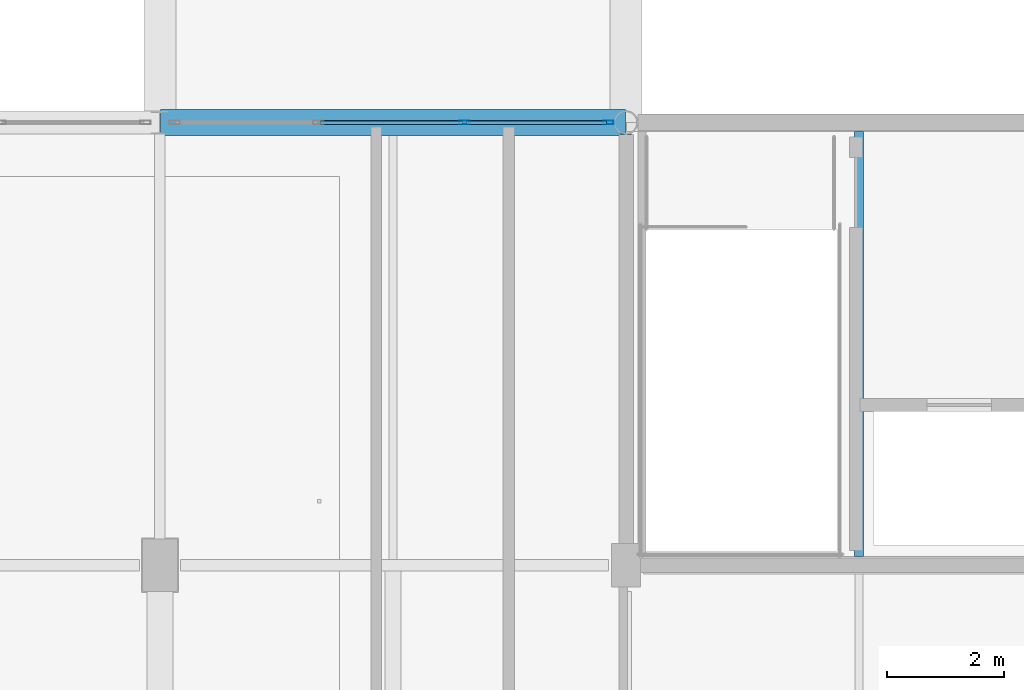
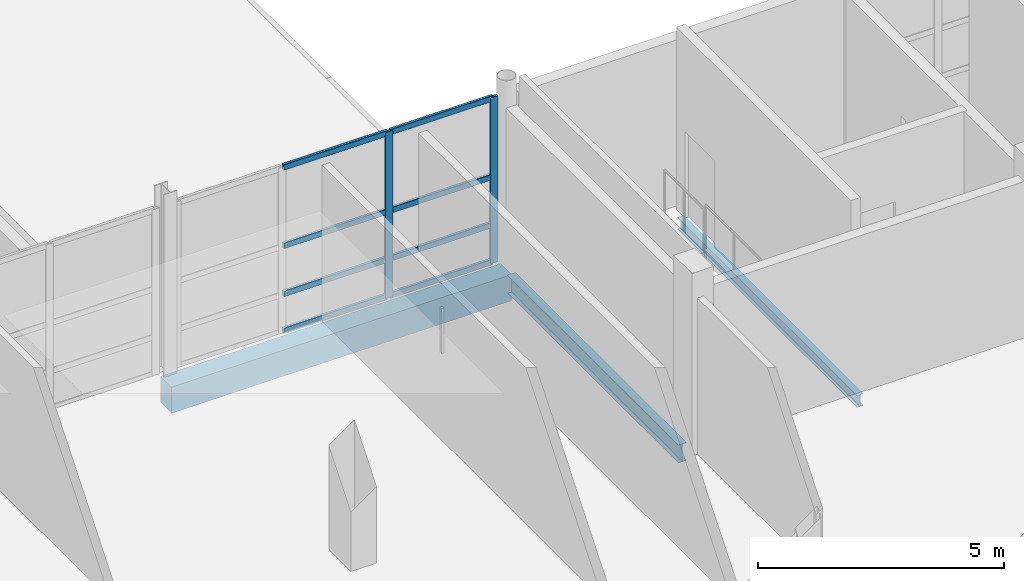
# One storey, part 44 of 107: 10 members, 3 beams, 1 element without a shape of its own.
"""IFC4 building model written with IfcOpenShell, lengths in metres."""

from ifc_helpers import new_model, si_unit, direction, frame, origin, origin_2d, place, context, subcontext, project, spatial, rectangle, hollow_rectangle, i_section, extrude, material, material_profile, profile_set, type_object, element, aggregate, save


model = new_model("IFC4")

# Units and contexts
model_context = context("Model", 3, precision=1e-05, world=origin(), true_north=direction((0.0, 1.0)))
body_context = subcontext(model_context, "Body", "Model", "MODEL_VIEW")
ifc_project = project(units=[si_unit("LENGTHUNIT", "METRE"), si_unit("AREAUNIT", "SQUARE_METRE"), si_unit("VOLUMEUNIT", "CUBIC_METRE"), si_unit("PLANEANGLEUNIT", "RADIAN"), si_unit("MASSUNIT", "GRAM", prefix="KILO")], contexts=[model_context])

# Site, building, storey
site_placement = place(None, origin())
site = spatial("IfcSite", under=ifc_project, at=site_placement, CompositionType="ELEMENT")
building_placement = place(site_placement, origin())
building = spatial("IfcBuilding", under=site, at=building_placement, Name="Khelvaren Railside Concert Hall", CompositionType="ELEMENT")
storey_placement = place(building_placement, frame((0.0, 0.0, 15.0)))
storey = spatial("IfcBuildingStorey", under=building, at=storey_placement, Name="L03", CompositionType="ELEMENT", Elevation=15.0)

# Beam
ifc_material_1 = material(Name="Steel S355", Category="steel")
ifc_material_profile_1 = material_profile(ifc_material_1, i_section(OverallWidth=0.18994140625, OverallDepth=0.449951171875, WebThickness=0.009521484375, FlangeThickness=0.0146484375, FilletRadius=0.02099609375, at=origin_2d()), Name="IPE 450")
ifc_profile_set_1 = profile_set([ifc_material_profile_1], Name="Steel S355")
beam_type_1 = type_object("IfcBeamType", Name="BM95", PredefinedType="BEAM", material=ifc_profile_set_1)
beam_1_placement = place(storey_placement, frame((168.0, 30.85009765625, -0.5048828125), z_axis=(0.0, 1.0, 0.0), x_axis=(-1.0, 0.0, 0.0)))
element("IfcBeam", 1, at=beam_1_placement, inside=storey, type_object=beam_type_1, Name="V2 L03 Beam Y4.5", PredefinedType="BEAM", context=body_context, shape_type="SweptSolid", body=[
    extrude(i_section(OverallWidth=0.18994140625, OverallDepth=0.449951171875, WebThickness=0.009521484375, FlangeThickness=0.0146484375, FilletRadius=0.02099609375, at=origin_2d()), origin(), (0.0, 0.0, 1.0), 6.954833984375),
])

# Curtain wall, members
ifc_material_2 = material(Name="Double-glazed low-E dark acoustic glass", Category="glass")
curtain_wall_type = type_object("IfcCurtainWallType", Name="CW32", PredefinedType="USERDEFINED", material=ifc_material_2)
curtain_wall_placement = place(storey_placement, origin())
curtain_wall = element("IfcCurtainWall", 2, at=curtain_wall_placement, inside=storey, type_object=curtain_wall_type, Name="Unitised Curtain Wall CW-V2-L03-N-160", ObjectType="UNITISED CURTAIN WALL", PredefinedType="USERDEFINED")
ifc_material_3 = material(Name="Anodised architectural aluminium 6063-T6", Category="aluminium")
ifc_material_profile_2 = material_profile(ifc_material_3, hollow_rectangle(XDim=0.06494140625, YDim=0.179931640625, WallThickness=0.00390625, InnerFilletRadius=0.001953125, OuterFilletRadius=0.00390625, at=origin_2d()), Name="CWM 65x180x4")
ifc_profile_set_2 = profile_set([ifc_material_profile_2], Name="Anodised architectural aluminium 6063-T6")
member_type_1 = type_object("IfcMemberType", Name="CWM63", PredefinedType="MULLION", material=ifc_profile_set_2)
member_1_placement = place(storey_placement, frame((165.225341796875, 38.0, 0.0), z_axis=(0.0, 0.0, 1.0), x_axis=(0.0, 1.0, 0.0)))
member_1 = element("IfcMember", 3, at=member_1_placement, type_object=member_type_1, Name="CW32 mullion 3", PredefinedType="MULLION", context=body_context, shape_type="SweptSolid", body=[
    extrude(hollow_rectangle(XDim=0.06494140625, YDim=0.179931640625, WallThickness=0.00390625, InnerFilletRadius=0.001953125, OuterFilletRadius=0.00390625, at=origin_2d()), origin(), (0.0, 0.0, 1.0), 4.1201171875),
])
member_2_placement = place(storey_placement, frame((167.69677734375, 38.0, 0.0), z_axis=(0.0, 0.0, 1.0), x_axis=(0.0, 1.0, 0.0)))
member_2 = element("IfcMember", 4, at=member_2_placement, type_object=member_type_1, Name="CW32 mullion 4", PredefinedType="MULLION", context=body_context, shape_type="SweptSolid", body=[
    extrude(hollow_rectangle(XDim=0.06494140625, YDim=0.179931640625, WallThickness=0.00390625, InnerFilletRadius=0.001953125, OuterFilletRadius=0.00390625, at=origin_2d()), origin(), (0.0, 0.0, 1.0), 4.1201171875),
])
ifc_material_profile_3 = material_profile(ifc_material_3, hollow_rectangle(XDim=0.06494140625, YDim=0.139892578125, WallThickness=0.00390625, InnerFilletRadius=0.001953125, OuterFilletRadius=0.00390625, at=origin_2d()), Name="CWT 65x140x4")
ifc_profile_set_3 = profile_set([ifc_material_profile_3], Name="Anodised architectural aluminium 6063-T6")
member_type_2 = type_object("IfcMemberType", Name="CWT72", PredefinedType="USERDEFINED", material=ifc_profile_set_3)
member_3_placement = place(storey_placement, frame((162.75390625, 38.0, 0.032470703125), z_axis=(1.0, 0.0, 0.0), x_axis=(0.0, 1.0, 0.0)))
member_3 = element("IfcMember", 5, at=member_3_placement, type_object=member_type_2, Name="CW32 transom 2.1", ObjectType="TRANSOM", PredefinedType="USERDEFINED", context=body_context, shape_type="SweptSolid", body=[
    extrude(hollow_rectangle(XDim=0.06494140625, YDim=0.139892578125, WallThickness=0.00390625, InnerFilletRadius=0.001953125, OuterFilletRadius=0.00390625, at=origin_2d()), origin(), (0.0, 0.0, 1.0), 2.43896484375),
])
member_4_placement = place(storey_placement, frame((162.75390625, 38.0, 0.949951171875), z_axis=(1.0, 0.0, 0.0), x_axis=(0.0, 1.0, 0.0)))
member_4 = element("IfcMember", 6, at=member_4_placement, type_object=member_type_2, Name="CW32 transom 2.2", ObjectType="TRANSOM", PredefinedType="USERDEFINED", context=body_context, shape_type="SweptSolid", body=[
    extrude(hollow_rectangle(XDim=0.06494140625, YDim=0.139892578125, WallThickness=0.00390625, InnerFilletRadius=0.001953125, OuterFilletRadius=0.00390625, at=origin_2d()), origin(), (0.0, 0.0, 1.0), 2.43896484375),
])
member_5_placement = place(storey_placement, frame((162.75390625, 38.0, 2.142333984375), z_axis=(1.0, 0.0, 0.0), x_axis=(0.0, 1.0, 0.0)))
member_5 = element("IfcMember", 7, at=member_5_placement, type_object=member_type_2, Name="CW32 transom 2.3", ObjectType="TRANSOM", PredefinedType="USERDEFINED", context=body_context, shape_type="SweptSolid", body=[
    extrude(hollow_rectangle(XDim=0.06494140625, YDim=0.139892578125, WallThickness=0.00390625, InnerFilletRadius=0.001953125, OuterFilletRadius=0.00390625, at=origin_2d()), origin(), (0.0, 0.0, 1.0), 2.43896484375),
])
member_6_placement = place(storey_placement, frame((162.75390625, 38.0, 4.08740234375), z_axis=(1.0, 0.0, 0.0), x_axis=(0.0, 1.0, 0.0)))
member_6 = element("IfcMember", 8, at=member_6_placement, type_object=member_type_2, Name="CW32 transom 2.4", ObjectType="TRANSOM", PredefinedType="USERDEFINED", context=body_context, shape_type="SweptSolid", body=[
    extrude(hollow_rectangle(XDim=0.06494140625, YDim=0.139892578125, WallThickness=0.00390625, InnerFilletRadius=0.001953125, OuterFilletRadius=0.00390625, at=origin_2d()), origin(), (0.0, 0.0, 1.0), 2.43896484375),
])
member_7_placement = place(storey_placement, frame((165.2578125, 38.0, 0.032470703125), z_axis=(1.0, 0.0, 0.0), x_axis=(0.0, 1.0, 0.0)))
member_7 = element("IfcMember", 9, at=member_7_placement, type_object=member_type_2, Name="CW32 transom 3.1", ObjectType="TRANSOM", PredefinedType="USERDEFINED", context=body_context, shape_type="SweptSolid", body=[
    extrude(hollow_rectangle(XDim=0.06494140625, YDim=0.139892578125, WallThickness=0.00390625, InnerFilletRadius=0.001953125, OuterFilletRadius=0.00390625, at=origin_2d()), origin(), (0.0, 0.0, 1.0), 2.406494140625),
])
member_8_placement = place(storey_placement, frame((165.2578125, 38.0, 0.949951171875), z_axis=(1.0, 0.0, 0.0), x_axis=(0.0, 1.0, 0.0)))
member_8 = element("IfcMember", 10, at=member_8_placement, type_object=member_type_2, Name="CW32 transom 3.2", ObjectType="TRANSOM", PredefinedType="USERDEFINED", context=body_context, shape_type="SweptSolid", body=[
    extrude(hollow_rectangle(XDim=0.06494140625, YDim=0.139892578125, WallThickness=0.00390625, InnerFilletRadius=0.001953125, OuterFilletRadius=0.00390625, at=origin_2d()), origin(), (0.0, 0.0, 1.0), 2.406494140625),
])
member_9_placement = place(storey_placement, frame((165.2578125, 38.0, 2.142333984375), z_axis=(1.0, 0.0, 0.0), x_axis=(0.0, 1.0, 0.0)))
member_9 = element("IfcMember", 11, at=member_9_placement, type_object=member_type_2, Name="CW32 transom 3.3", ObjectType="TRANSOM", PredefinedType="USERDEFINED", context=body_context, shape_type="SweptSolid", body=[
    extrude(hollow_rectangle(XDim=0.06494140625, YDim=0.139892578125, WallThickness=0.00390625, InnerFilletRadius=0.001953125, OuterFilletRadius=0.00390625, at=origin_2d()), origin(), (0.0, 0.0, 1.0), 2.406494140625),
])
member_10_placement = place(storey_placement, frame((165.2578125, 38.0, 4.08740234375), z_axis=(1.0, 0.0, 0.0), x_axis=(0.0, 1.0, 0.0)))
member_10 = element("IfcMember", 12, at=member_10_placement, type_object=member_type_2, Name="CW32 transom 3.4", ObjectType="TRANSOM", PredefinedType="USERDEFINED", context=body_context, shape_type="SweptSolid", body=[
    extrude(hollow_rectangle(XDim=0.06494140625, YDim=0.139892578125, WallThickness=0.00390625, InnerFilletRadius=0.001953125, OuterFilletRadius=0.00390625, at=origin_2d()), origin(), (0.0, 0.0, 1.0), 2.406494140625),
])
aggregate(curtain_wall, [member_1, member_2, member_3, member_4, member_5, member_6, member_7, member_8, member_9, member_10])

# Beams
ifc_material_profile_4 = material_profile(ifc_material_1, i_section(OverallWidth=0.14990234375, OverallDepth=0.300048828125, WebThickness=0.007080078125, FlangeThickness=0.0107421875, FilletRadius=0.014892578125, at=origin_2d()), Name="IPE 300")
ifc_profile_set_4 = profile_set([ifc_material_profile_4], Name="Steel S355")
beam_type_2 = type_object("IfcBeamType", Name="JS26", PredefinedType="JOIST", material=ifc_profile_set_4)
beam_2_placement = place(storey_placement, frame((172.0, 30.550048828125, -0.429931640625), z_axis=(0.0, 1.0, 0.0), x_axis=(-1.0, 0.0, 0.0)))
element("IfcBeam", 13, at=beam_2_placement, inside=storey, type_object=beam_type_2, Name="V2 L03 Secondary Joist 4.5", PredefinedType="JOIST", context=body_context, shape_type="SweptSolid", body=[
    extrude(i_section(OverallWidth=0.14990234375, OverallDepth=0.300048828125, WebThickness=0.007080078125, FlangeThickness=0.0107421875, FilletRadius=0.014892578125, at=origin_2d()), origin(), (0.0, 0.0, 1.0), 7.300048828125),
])
ifc_material_4 = material(Name="Concrete C40/50", Category="concrete")
ifc_material_profile_5 = material_profile(ifc_material_4, rectangle(XDim=0.449951171875, YDim=0.64990234375, at=origin_2d()), Name="RCB 450x650")
ifc_profile_set_5 = profile_set([ifc_material_profile_5], Name="Concrete C40/50")
beam_type_3 = type_object("IfcBeamType", Name="SP34", PredefinedType="SPANDREL", material=ifc_profile_set_5)
beam_3_placement = place(storey_placement, frame((160.010009765625, 38.0, -0.60498046875), z_axis=(1.0, 0.0, 0.0), x_axis=(0.0, 1.0, 0.0)))
element("IfcBeam", 14, at=beam_3_placement, inside=storey, type_object=beam_type_3, Name="V2 L03 Spandrel X6.3", PredefinedType="SPANDREL", context=body_context, shape_type="SweptSolid", body=[
    extrude(rectangle(XDim=0.449951171875, YDim=0.64990234375, at=origin_2d()), origin(), (0.0, 0.0, 1.0), 7.97998046875),
])

save(model, "model.ifc")
